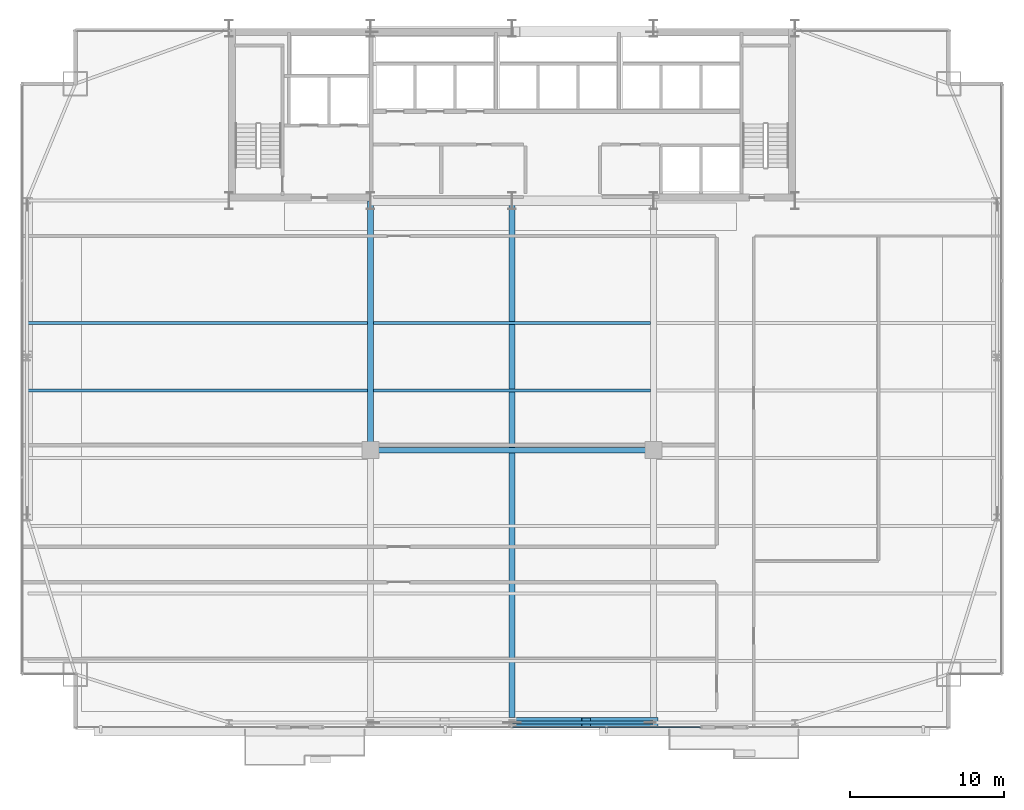
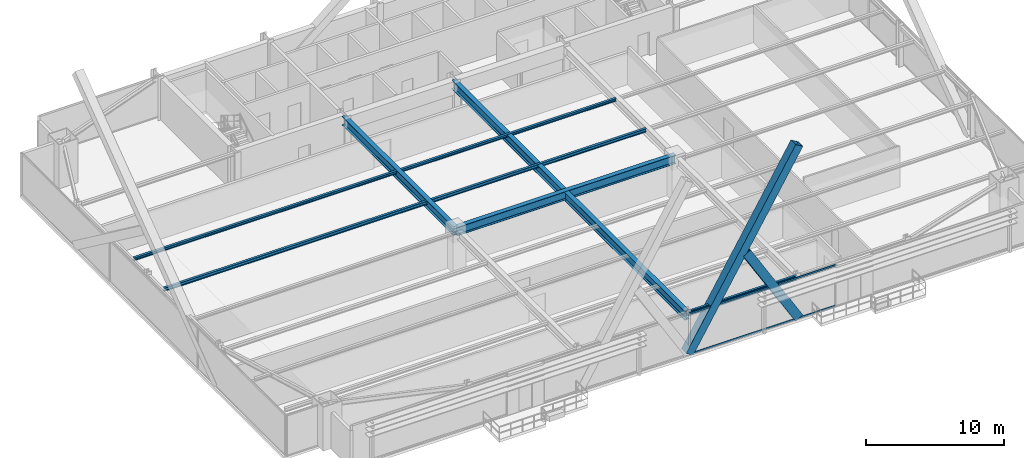
# One storey, part 12 of 32: 8 beams, 4 members, 1 element without a shape of its own.
"""IFC4 building model written with IfcOpenShell, lengths in metres."""

from ifc_helpers import new_model, si_unit, direction, frame, origin, origin_2d, place, context, subcontext, project, spatial, hollow_rectangle, i_section, extrude, source, transform, mapped, material, layer, layer_set, material_profile, profile_set, type_object, type_shapes, element, aggregate, save


model = new_model("IFC4")

# Units and contexts
model_context = context("Model", 3, precision=1e-05, world=origin(), true_north=direction((0.0, 1.0)))
body_context = subcontext(model_context, "Body", "Model", "MODEL_VIEW")
ifc_project = project(units=[si_unit("LENGTHUNIT", "METRE"), si_unit("AREAUNIT", "SQUARE_METRE"), si_unit("VOLUMEUNIT", "CUBIC_METRE"), si_unit("PLANEANGLEUNIT", "RADIAN"), si_unit("MASSUNIT", "GRAM", prefix="KILO")], contexts=[model_context])

# Site, building, storey
site_placement = place(None, origin())
site = spatial("IfcSite", under=ifc_project, at=site_placement, CompositionType="ELEMENT")
building_placement = place(site_placement, origin())
building = spatial("IfcBuilding", under=site, at=building_placement, Name="Varnel Quay Broadcast Tower", CompositionType="ELEMENT")
storey_placement = place(building_placement, frame((0.0, 0.0, 43.199951171875)))
storey = spatial("IfcBuildingStorey", under=building, at=storey_placement, Name="L09", CompositionType="ELEMENT", Elevation=43.199951171875)

# Beams
ifc_material_1 = material(Name="Structural Steel CSA G40.21 350W", Category="steel")
ifc_material_profile_1 = material_profile(ifc_material_1, i_section(OverallWidth=0.180908203125, OverallDepth=0.4169921875, WebThickness=0.010986328125, FlangeThickness=0.018310546875, FilletRadius=0.011962890625, at=origin_2d()), Name="W410X85")
ifc_profile_set_1 = profile_set([ifc_material_profile_1], Name="Structural Steel CSA G40.21 350W")
beam_type_1 = type_object("IfcBeamType", Name="Beam_W410X85", PredefinedType="SPANDREL", material=ifc_profile_set_1)
shared_shape_1 = source(origin(), body_context, "Body", "SweptSolid", [
    extrude(i_section(OverallWidth=0.180908203125, OverallDepth=0.4169921875, WebThickness=0.010986328125, FlangeThickness=0.018310546875, FilletRadius=0.011962890625, at=origin_2d()), origin(), (0.0, 0.0, 1.0), 9.159912109375),
])
type_shapes(beam_type_1, [shared_shape_1])
beam_1_placement = place(storey_placement, frame((34.02001953125, 1.64990234375, 3.441650390625), z_axis=(1.0, 0.0, 0.0), x_axis=(0.0, 1.0, 0.0)))
element("IfcBeam", 1, at=beam_1_placement, inside=storey, type_object=beam_type_1, Name="L09 South Spandrel TC-S3-TC-S4", PredefinedType="SPANDREL", context=body_context, shape_type="MappedRepresentation", body=[
    mapped(shared_shape_1, transform((0.0, 0.0, 0.0), x_axis=(1.0, 0.0, 0.0), y_axis=(0.0, 1.0, 0.0), z_axis=(0.0, 0.0, 1.0), scale=1.0)),
])
ifc_material_profile_2 = material_profile(ifc_material_1, i_section(OverallWidth=0.381103515625, OverallDepth=0.77294921875, WebThickness=0.0166015625, FlangeThickness=0.027587890625, FilletRadius=0.01806640625, at=origin_2d()), Name="W760X257")
ifc_profile_set_2 = profile_set([ifc_material_profile_2], Name="Structural Steel CSA G40.21 350W")
beam_type_2 = type_object("IfcBeamType", Name="Girder_W760X257", PredefinedType="BEAM", material=ifc_profile_set_2)
shared_shape_2 = source(origin(), body_context, "Body", "SweptSolid", [
    extrude(i_section(OverallWidth=0.381103515625, OverallDepth=0.77294921875, WebThickness=0.0166015625, FlangeThickness=0.027587890625, FilletRadius=0.01806640625, at=origin_2d()), origin(), (0.0, 0.0, 1.0), 16.190185546875),
])
beam_2_placement = place(storey_placement, frame((24.800048828125, 19.389892578125, 3.263427734375), z_axis=(0.0, 1.0, 0.0), x_axis=(-1.0, 0.0, 0.0)))
element("IfcBeam", 2, at=beam_2_placement, inside=storey, type_object=beam_type_2, Name="L09 Primary Girder IC-01-CC-S2", PredefinedType="BEAM", context=body_context, shape_type="MappedRepresentation", body=[
    mapped(shared_shape_2, transform((0.0, 0.0, 0.0), x_axis=(1.0, 0.0, 0.0), y_axis=(0.0, 1.0, 0.0), z_axis=(0.0, 0.0, 1.0), scale=1.0)),
])
shared_shape_3 = source(origin(), body_context, "Body", "SweptSolid", [
    extrude(i_section(OverallWidth=0.381103515625, OverallDepth=0.77294921875, WebThickness=0.0166015625, FlangeThickness=0.027587890625, FilletRadius=0.01806640625, at=origin_2d()), origin(), (0.0, 0.0, 1.0), 18.35986328125),
])
beam_3_placement = place(storey_placement, frame((24.820068359375, 19.3701171875, 3.263427734375), z_axis=(1.0, 0.0, 0.0), x_axis=(0.0, 1.0, 0.0)))
element("IfcBeam", 3, at=beam_3_placement, inside=storey, type_object=beam_type_2, Name="L09 Interior Spine Girder", PredefinedType="BEAM", context=body_context, shape_type="MappedRepresentation", body=[
    mapped(shared_shape_3, transform((0.0, 0.0, 0.0), x_axis=(1.0, 0.0, 0.0), y_axis=(0.0, 1.0, 0.0), z_axis=(0.0, 0.0, 1.0), scale=1.0)),
])
shared_shape_4 = source(origin(), body_context, "Body", "SweptSolid", [
    extrude(i_section(OverallWidth=0.381103515625, OverallDepth=0.77294921875, WebThickness=0.0166015625, FlangeThickness=0.027587890625, FilletRadius=0.01806640625, at=origin_2d()), origin(), (0.0, 0.0, 1.0), 33.91015625),
])
type_shapes(beam_type_2, [shared_shape_2, shared_shape_3, shared_shape_4])
beam_4_placement = place(storey_placement, frame((34.0, 1.669921875, 3.263427734375), z_axis=(0.0, 1.0, 0.0), x_axis=(-1.0, 0.0, 0.0)))
element("IfcBeam", 4, at=beam_4_placement, inside=storey, type_object=beam_type_2, Name="L09 Central Bay Girder", PredefinedType="BEAM", context=body_context, shape_type="MappedRepresentation", body=[
    mapped(shared_shape_4, transform((0.0, 0.0, 0.0), x_axis=(1.0, 0.0, 0.0), y_axis=(0.0, 1.0, 0.0), z_axis=(0.0, 0.0, 1.0), scale=1.0)),
])
ifc_material_profile_3 = material_profile(ifc_material_1, i_section(OverallWidth=0.202880859375, OverallDepth=0.302978515625, WebThickness=0.007568359375, FlangeThickness=0.01318359375, FilletRadius=0.011962890625, at=origin_2d()), Name="W310X60")
ifc_profile_set_3 = profile_set([ifc_material_profile_3], Name="Structural Steel CSA G40.21 350W")
beam_type_3 = type_object("IfcBeamType", Name="Beam_W310X60", PredefinedType="JOIST", material=ifc_profile_set_3)
shared_shape_5 = source(origin(), body_context, "Body", "SweptSolid", [
    extrude(i_section(OverallWidth=0.202880859375, OverallDepth=0.302978515625, WebThickness=0.007568359375, FlangeThickness=0.01318359375, FilletRadius=0.011962890625, at=origin_2d()), origin(), (0.0, 0.0, 1.0), 22.0791015625),
])
beam_5_placement = place(storey_placement, frame((2.535400390625, 23.25, 3.49853515625), z_axis=(1.0, 0.0, 0.0), x_axis=(0.0, 1.0, 0.0)))
element("IfcBeam", 5, at=beam_5_placement, inside=storey, type_object=beam_type_3, Name="L09 West Floor Joist 5", PredefinedType="JOIST", context=body_context, shape_type="MappedRepresentation", body=[
    mapped(shared_shape_5, transform((0.0, 0.0, 0.0), x_axis=(1.0, 0.0, 0.0), y_axis=(0.0, 1.0, 0.0), z_axis=(0.0, 0.0, 1.0), scale=1.0)),
])
shared_shape_6 = source(origin(), body_context, "Body", "SweptSolid", [
    extrude(i_section(OverallWidth=0.202880859375, OverallDepth=0.302978515625, WebThickness=0.007568359375, FlangeThickness=0.01318359375, FilletRadius=0.011962890625, at=origin_2d()), origin(), (0.0, 0.0, 1.0), 18.02880859375),
])
type_shapes(beam_type_3, [shared_shape_5, shared_shape_6])
beam_6_placement = place(storey_placement, frame((24.985595703125, 23.25, 3.49853515625), z_axis=(1.0, 0.0, 0.0), x_axis=(0.0, 1.0, 0.0)))
element("IfcBeam", 6, at=beam_6_placement, inside=storey, type_object=beam_type_3, Name="L09 Central Floor Joist 5", PredefinedType="JOIST", context=body_context, shape_type="MappedRepresentation", body=[
    mapped(shared_shape_6, transform((0.0, 0.0, 0.0), x_axis=(1.0, 0.0, 0.0), y_axis=(0.0, 1.0, 0.0), z_axis=(0.0, 0.0, 1.0), scale=1.0)),
])
ifc_material_profile_4 = material_profile(ifc_material_1, i_section(OverallWidth=0.201904296875, OverallDepth=0.2470703125, WebThickness=0.00732421875, FlangeThickness=0.010986328125, FilletRadius=0.010986328125, at=origin_2d()), Name="W250X49")
ifc_profile_set_4 = profile_set([ifc_material_profile_4], Name="Structural Steel CSA G40.21 350W")
beam_type_4 = type_object("IfcBeamType", Name="Beam_W250X49", PredefinedType="JOIST", material=ifc_profile_set_4)
shared_shape_7 = source(origin(), body_context, "Body", "SweptSolid", [
    extrude(i_section(OverallWidth=0.201904296875, OverallDepth=0.2470703125, WebThickness=0.00732421875, FlangeThickness=0.010986328125, FilletRadius=0.010986328125, at=origin_2d()), origin(), (0.0, 0.0, 1.0), 22.0791015625),
])
beam_7_placement = place(storey_placement, frame((2.535400390625, 27.64990234375, 3.526611328125), z_axis=(1.0, 0.0, 0.0), x_axis=(0.0, 1.0, 0.0)))
element("IfcBeam", 7, at=beam_7_placement, inside=storey, type_object=beam_type_4, Name="L09 West Floor Joist 6", PredefinedType="JOIST", context=body_context, shape_type="MappedRepresentation", body=[
    mapped(shared_shape_7, transform((0.0, 0.0, 0.0), x_axis=(1.0, 0.0, 0.0), y_axis=(0.0, 1.0, 0.0), z_axis=(0.0, 0.0, 1.0), scale=1.0)),
])
shared_shape_8 = source(origin(), body_context, "Body", "SweptSolid", [
    extrude(i_section(OverallWidth=0.201904296875, OverallDepth=0.2470703125, WebThickness=0.00732421875, FlangeThickness=0.010986328125, FilletRadius=0.010986328125, at=origin_2d()), origin(), (0.0, 0.0, 1.0), 18.02880859375),
])
type_shapes(beam_type_4, [shared_shape_7, shared_shape_8])
beam_8_placement = place(storey_placement, frame((24.985595703125, 27.64990234375, 3.526611328125), z_axis=(1.0, 0.0, 0.0), x_axis=(0.0, 1.0, 0.0)))
element("IfcBeam", 8, at=beam_8_placement, inside=storey, type_object=beam_type_4, Name="L09 Central Floor Joist 6", PredefinedType="JOIST", context=body_context, shape_type="MappedRepresentation", body=[
    mapped(shared_shape_8, transform((0.0, 0.0, 0.0), x_axis=(1.0, 0.0, 0.0), y_axis=(0.0, 1.0, 0.0), z_axis=(0.0, 0.0, 1.0), scale=1.0)),
])

# Members
ifc_material_2 = material(Name="Structural Steel CSA G40.21 350WT", Category="steel")
ifc_material_profile_5 = material_profile(ifc_material_2, hollow_rectangle(XDim=0.699951171875, YDim=0.699951171875, WallThickness=0.031982421875, at=origin_2d()), Name="BOX700X700X32")
ifc_profile_set_5 = profile_set([ifc_material_profile_5], Name="Structural Steel CSA G40.21 350WT")
member_type_1 = type_object("IfcMemberType", Name="Brace_BOX700X700X32", PredefinedType="BRACE", material=ifc_profile_set_5)
shared_shape_9 = source(origin(), body_context, "Body", "SweptSolid", [
    extrude(hollow_rectangle(XDim=0.699951171875, YDim=0.699951171875, WallThickness=0.031982421875, at=origin_2d()), origin(), (0.0, 0.0, 1.0), 17.861572265625),
])
member_1_placement = place(storey_placement, frame((34.0, 1.64990234375, 0.02001953125), z_axis=(0.515068509815, 0.0, 0.857149012831), x_axis=(0.0, 1.0, 0.0)))
element("IfcMember", 9, at=member_1_placement, inside=storey, type_object=member_type_1, Name="Zone 1 Mega-Brace S-C2T2 Continuous Diag A", PredefinedType="BRACE", context=body_context, shape_type="MappedRepresentation", body=[
    mapped(shared_shape_9, transform((0.0, 0.0, 0.0), x_axis=(1.0, 0.0, 0.0), y_axis=(0.0, 1.0, 0.0), z_axis=(0.0, 0.0, 1.0), scale=1.0)),
])
shared_shape_10 = source(origin(), body_context, "Body", "SweptSolid", [
    extrude(hollow_rectangle(XDim=0.699951171875, YDim=0.699951171875, WallThickness=0.031982421875, at=origin_2d()), origin(), (0.0, 0.0, 1.0), 8.509521484375),
])
type_shapes(member_type_1, [shared_shape_9, shared_shape_10])
member_2_placement = place(storey_placement, frame((43.199951171875, 1.64990234375, 0.02001953125), z_axis=(-0.51505258093, 0.0, 0.857158584439), x_axis=(0.0, -1.0, 0.0)))
element("IfcMember", 10, at=member_2_placement, inside=storey, type_object=member_type_1, Name="Zone 1 Mega-Brace S-C2T2 Split Diag B1", PredefinedType="BRACE", context=body_context, shape_type="MappedRepresentation", body=[
    mapped(shared_shape_10, transform((0.0, 0.0, 0.0), x_axis=(1.0, 0.0, 0.0), y_axis=(0.0, 1.0, 0.0), z_axis=(0.0, 0.0, 1.0), scale=1.0)),
])

# Curtain wall, members
ifc_material_3 = material(Name="Anodised Bronze Aluminium 6063-T6", Category="aluminium")
ifc_layer = layer(ifc_material_3, 0.18994140625, Name="Anodised Bronze Aluminium 6063-T6")
ifc_layer_set = layer_set([ifc_layer], Name="Anodised Bronze Aluminium 6063-T6")
curtain_wall_type = type_object("IfcCurtainWallType", Name="CW_LowerTower", PredefinedType="NOTDEFINED", material=ifc_layer_set)
curtain_wall_placement = place(storey_placement, origin())
curtain_wall = element("IfcCurtainWall", 11, at=curtain_wall_placement, inside=storey, type_object=curtain_wall_type, Name="L09 South Unitised Curtain Wall 2", PredefinedType="NOTDEFINED")
ifc_material_profile_6 = material_profile(ifc_material_3, hollow_rectangle(XDim=0.06005859375, YDim=0.14501953125, WallThickness=0.00341796875, at=origin_2d()), Name="ALU60X145X3.5")
ifc_profile_set_6 = profile_set([ifc_material_profile_6], Name="Anodised Bronze Aluminium 6063-T6")
member_type_2 = type_object("IfcMemberType", Name="Tran_CWS-02", PredefinedType="USERDEFINED", material=ifc_profile_set_6)
shared_shape_11 = source(origin(), body_context, "Body", "SweptSolid", [
    extrude(hollow_rectangle(XDim=0.06005859375, YDim=0.14501953125, WallThickness=0.00341796875, at=origin_2d()), origin(), (0.0, 0.0, 1.0), 12.215087890625),
])
type_shapes(member_type_2, [shared_shape_11])
member_3_placement = place(storey_placement, frame((34.034912109375, 1.35009765625, 0.030029296875), z_axis=(1.0, 0.0, 0.0), x_axis=(0.0, 1.0, 0.0)))
member_3 = element("IfcMember", 12, at=member_3_placement, type_object=member_type_2, Name="CWS-02 transom 2.1", ObjectType="TRANSOM", PredefinedType="USERDEFINED", context=body_context, shape_type="MappedRepresentation", body=[
    mapped(shared_shape_11, transform((0.0, 0.0, 0.0), x_axis=(1.0, 0.0, 0.0), y_axis=(0.0, 1.0, 0.0), z_axis=(0.0, 0.0, 1.0), scale=1.0)),
])
member_4_placement = place(storey_placement, frame((34.034912109375, 1.35009765625, 3.6201171875), z_axis=(1.0, 0.0, 0.0), x_axis=(0.0, 1.0, 0.0)))
member_4 = element("IfcMember", 13, at=member_4_placement, type_object=member_type_2, Name="CWS-02 transom 2.2", ObjectType="TRANSOM", PredefinedType="USERDEFINED", context=body_context, shape_type="MappedRepresentation", body=[
    mapped(shared_shape_11, transform((0.0, 0.0, 0.0), x_axis=(1.0, 0.0, 0.0), y_axis=(0.0, 1.0, 0.0), z_axis=(0.0, 0.0, 1.0), scale=1.0)),
])
aggregate(curtain_wall, [member_3, member_4])

save(model, "model.ifc")
